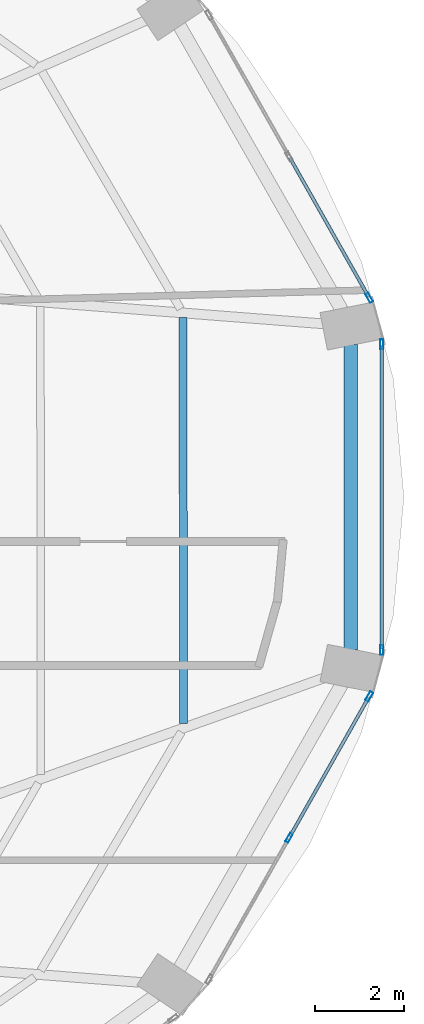
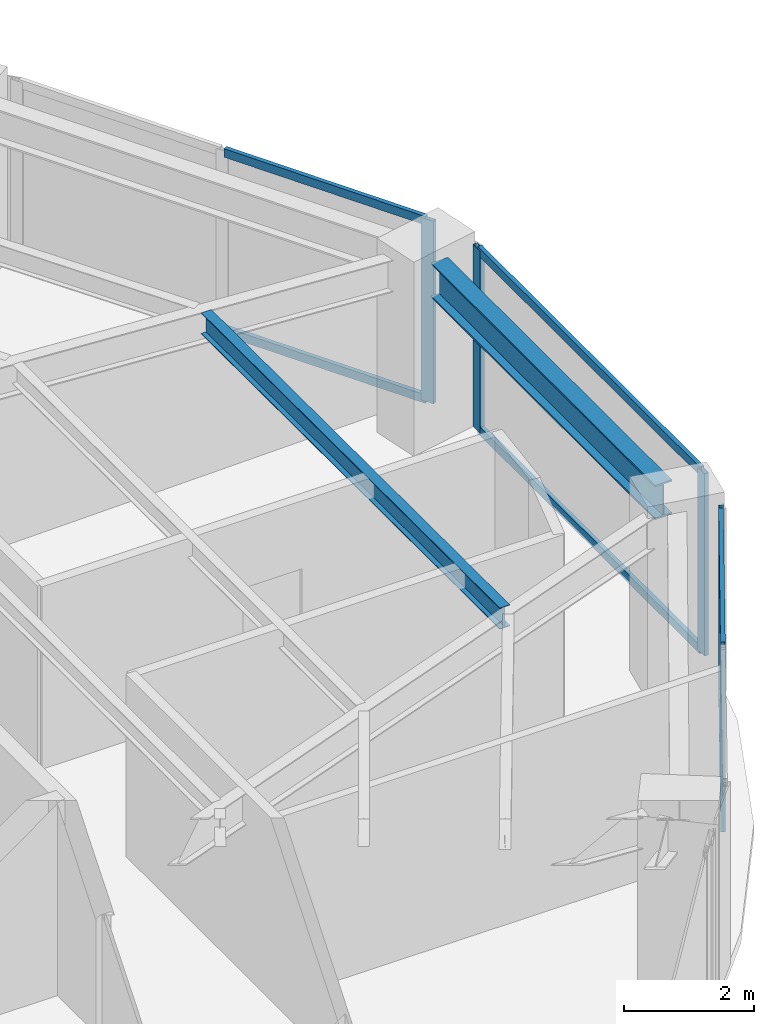
# One storey, part 12 of 24: 11 members, 2 beams, 3 elements without a shape of their own.
"""IFC4 building model written with IfcOpenShell, lengths in metres."""

from ifc_helpers import new_model, si_unit, direction, frame, origin, origin_2d, place, context, subcontext, project, spatial, hollow_rectangle, i_section, extrude, material, layer, layer_set, material_profile, profile_set, type_object, element, aggregate, save


model = new_model("IFC4")

# Units and contexts
model_context = context("Model", 3, precision=1e-05, world=origin(), true_north=direction((0.0, 1.0)))
body_context = subcontext(model_context, "Body", "Model", "MODEL_VIEW")
ifc_project = project(units=[si_unit("LENGTHUNIT", "METRE"), si_unit("AREAUNIT", "SQUARE_METRE"), si_unit("VOLUMEUNIT", "CUBIC_METRE"), si_unit("PLANEANGLEUNIT", "RADIAN"), si_unit("MASSUNIT", "GRAM", prefix="KILO")], contexts=[model_context])

# Site, building, storey
site_placement = place(None, origin())
site = spatial("IfcSite", under=ifc_project, at=site_placement, CompositionType="ELEMENT")
building_placement = place(site_placement, origin())
building = spatial("IfcBuilding", under=site, at=building_placement, Name="Lazwardi Medical Tower", CompositionType="ELEMENT")
storey_placement = place(building_placement, frame((0.0, 0.0, 68.97607421875)))
storey = spatial("IfcBuildingStorey", under=building, at=storey_placement, Name="L17", CompositionType="ELEMENT", Elevation=68.97607421875)

# Beams
ifc_material_1 = material(Name="Steel S355", Category="steel")
ifc_material_profile_1 = material_profile(ifc_material_1, i_section(OverallWidth=0.300048828125, OverallDepth=0.64990234375, WebThickness=0.01611328125, FlangeThickness=0.031005859375, at=origin_2d()), Name="HEB 650")
ifc_profile_set_1 = profile_set([ifc_material_profile_1], Name="Steel S355")
beam_type_1 = type_object("IfcBeamType", Name="BM-RB-Z1", PredefinedType="BEAM", material=ifc_profile_set_1)
beam_1_placement = place(storey_placement, frame((62.800048828125, 26.952392578125, 3.10302734375), z_axis=(0.0, 1.0, 0.0), x_axis=(-1.0, 0.0, 0.0)))
element("IfcBeam", 1, at=beam_1_placement, inside=storey, type_object=beam_type_1, Name="Ring beam RB-02 B04 L17", PredefinedType="BEAM", context=body_context, shape_type="SweptSolid", body=[
    extrude(i_section(OverallWidth=0.300048828125, OverallDepth=0.64990234375, WebThickness=0.01611328125, FlangeThickness=0.031005859375, at=origin_2d()), origin(), (0.0, 0.0, 1.0), 6.895263671875),
])
ifc_material_profile_2 = material_profile(ifc_material_1, i_section(OverallWidth=0.179931640625, OverallDepth=0.39990234375, WebThickness=0.008544921875, FlangeThickness=0.013427734375, at=origin_2d()), Name="IPE 400")
ifc_profile_set_2 = profile_set([ifc_material_profile_2], Name="Steel S355")
beam_type_2 = type_object("IfcBeamType", Name="BM-SJ-01", PredefinedType="JOIST", material=ifc_profile_set_2)
beam_2_placement = place(storey_placement, frame((59.0234375, 25.291015625, 3.22802734375), z_axis=(-0.002077613181, 0.999997841759, 0.0), x_axis=(-0.999997841759, -0.002077613181, 0.0)))
element("IfcBeam", 2, at=beam_2_placement, inside=storey, type_object=beam_type_2, Name="Secondary joist SJ-01 R1 B04 L17", PredefinedType="JOIST", context=body_context, shape_type="SweptSolid", body=[
    extrude(i_section(OverallWidth=0.179931640625, OverallDepth=0.39990234375, WebThickness=0.008544921875, FlangeThickness=0.013427734375, at=origin_2d()), origin(), (0.0, 0.0, 1.0), 9.165771484375),
])

# Curtain wall, members
ifc_material_2 = material(Name="Anodised bronze aluminium and solar control glazing", Category="aluminium")
ifc_layer = layer(ifc_material_2, 0.199951171875)
ifc_layer_set = layer_set([ifc_layer], Name="Anodised bronze aluminium and solar control glazing")
curtain_wall_type = type_object("IfcCurtainWallType", Name="CW-SYS-02", PredefinedType="NOTDEFINED", material=ifc_layer_set)
curtain_wall_1_placement = place(storey_placement, origin())
curtain_wall_1 = element("IfcCurtainWall", 3, at=curtain_wall_1_placement, inside=storey, type_object=curtain_wall_type, Name="L17 Unitised bronze curtain wall CW-02", PredefinedType="NOTDEFINED")
ifc_material_3 = material(Name="Anodised bronze aluminium", Category="aluminium")
ifc_material_profile_3 = material_profile(ifc_material_3, hollow_rectangle(XDim=0.074951171875, YDim=0.219970703125, WallThickness=0.00390625, at=origin_2d()), Name="ALU-MULLION 220x75x4")
ifc_profile_set_3 = profile_set([ifc_material_profile_3], Name="Anodised bronze aluminium")
member_type_1 = type_object("IfcMemberType", Name="CW-MUL-01", PredefinedType="MULLION", material=ifc_profile_set_3)
member_1_placement = place(storey_placement, frame((61.4052734375, 22.70458984375, 0.0), z_axis=(0.0, 0.0, 1.0), x_axis=(-0.870111838823, 0.492854327303, 0.0)))
member_1 = element("IfcMember", 4, at=member_1_placement, type_object=member_type_1, Name="CW-02 mullion 2", PredefinedType="MULLION", context=body_context, shape_type="SweptSolid", body=[
    extrude(hollow_rectangle(XDim=0.074951171875, YDim=0.219970703125, WallThickness=0.00390625, at=origin_2d()), origin(), (0.0, 0.0, 1.0), 3.427978515625),
])
member_2_placement = place(storey_placement, frame((63.214111328125, 25.897705078125, 0.0), z_axis=(0.0, 0.0, 1.0), x_axis=(-0.870111838823, 0.492854327303, 0.0)))
member_2 = element("IfcMember", 5, at=member_2_placement, type_object=member_type_1, Name="CW-02 mullion 3", PredefinedType="MULLION", context=body_context, shape_type="SweptSolid", body=[
    extrude(hollow_rectangle(XDim=0.074951171875, YDim=0.219970703125, WallThickness=0.00390625, at=origin_2d()), origin(), (0.0, 0.0, 1.0), 3.427978515625),
])

curtain_wall_2_placement = place(storey_placement, origin())
curtain_wall_2 = element("IfcCurtainWall", 6, at=curtain_wall_2_placement, inside=storey, type_object=curtain_wall_type, Name="L17 Unitised bronze curtain wall CW-02", PredefinedType="NOTDEFINED")
member_3_placement = place(storey_placement, frame((63.49853515625, 26.946044921875, 0.0), z_axis=(0.0, 0.0, 1.0), x_axis=(-1.0, 0.0, 0.0)))
member_3 = element("IfcMember", 7, at=member_3_placement, type_object=member_type_1, Name="CW-02 mullion 1", PredefinedType="MULLION", context=body_context, shape_type="SweptSolid", body=[
    extrude(hollow_rectangle(XDim=0.074951171875, YDim=0.219970703125, WallThickness=0.00390625, at=origin_2d()), origin(), (0.0, 0.0, 1.0), 3.427978515625),
])
member_4_placement = place(storey_placement, frame((63.49853515625, 33.85400390625, 0.0), z_axis=(0.0, 0.0, 1.0), x_axis=(-1.0, 0.0, 0.0)))
member_4 = element("IfcMember", 8, at=member_4_placement, type_object=member_type_1, Name="CW-02 mullion 2", PredefinedType="MULLION", context=body_context, shape_type="SweptSolid", body=[
    extrude(hollow_rectangle(XDim=0.074951171875, YDim=0.219970703125, WallThickness=0.00390625, at=origin_2d()), origin(), (0.0, 0.0, 1.0), 3.427978515625),
])

# Curtain wall, member
curtain_wall_3_placement = place(storey_placement, origin())
curtain_wall_3 = element("IfcCurtainWall", 9, at=curtain_wall_3_placement, inside=storey, type_object=curtain_wall_type, Name="L17 Unitised bronze curtain wall CW-02", PredefinedType="NOTDEFINED")
member_5_placement = place(storey_placement, frame((63.214111328125, 34.90234375, 0.0), z_axis=(0.0, 0.0, 1.0), x_axis=(-0.870111838823, -0.492854327303, 0.0)))
member_5 = element("IfcMember", 10, at=member_5_placement, type_object=member_type_1, Name="CW-02 mullion 1", PredefinedType="MULLION", context=body_context, shape_type="SweptSolid", body=[
    extrude(hollow_rectangle(XDim=0.074951171875, YDim=0.219970703125, WallThickness=0.00390625, at=origin_2d()), origin(), (0.0, 0.0, 1.0), 3.427978515625),
])

# Member
ifc_material_profile_4 = material_profile(ifc_material_3, hollow_rectangle(XDim=0.074951171875, YDim=0.159912109375, WallThickness=0.00390625, at=origin_2d()), Name="ALU-TRANSOM 160x75x4")
ifc_profile_set_4 = profile_set([ifc_material_profile_4], Name="Anodised bronze aluminium")
member_type_2 = type_object("IfcMemberType", Name="CW-TRN-01", PredefinedType="USERDEFINED", material=ifc_profile_set_4)
member_6_placement = place(storey_placement, frame((61.423828125, 22.737060546875, 0.037353515625), z_axis=(0.49285148925, 0.870113446365, 0.0), x_axis=(-0.870113446365, 0.49285148925, 0.0)))
member_6 = element("IfcMember", 11, at=member_6_placement, type_object=member_type_2, Name="CW-02 transom 2.1", ObjectType="TRANSOM", PredefinedType="USERDEFINED", context=body_context, shape_type="SweptSolid", body=[
    extrude(hollow_rectangle(XDim=0.074951171875, YDim=0.159912109375, WallThickness=0.00390625, at=origin_2d()), origin(), (0.0, 0.0, 1.0), 3.594970703125),
])

member_7_placement = place(storey_placement, frame((61.423828125, 22.737060546875, 3.390380859375), z_axis=(0.49285148925, 0.870113446365, 0.0), x_axis=(-0.870113446365, 0.49285148925, 0.0)))
member_7 = element("IfcMember", 12, at=member_7_placement, type_object=member_type_2, Name="CW-02 transom 2.2", ObjectType="TRANSOM", PredefinedType="USERDEFINED", context=body_context, shape_type="SweptSolid", body=[
    extrude(hollow_rectangle(XDim=0.074951171875, YDim=0.159912109375, WallThickness=0.00390625, at=origin_2d()), origin(), (0.0, 0.0, 1.0), 3.594970703125),
])

aggregate(curtain_wall_1, [member_1, member_2, member_6, member_7])

member_8_placement = place(storey_placement, frame((63.49853515625, 26.9833984375, 0.037353515625), z_axis=(0.0, 1.0, 0.0), x_axis=(-1.0, 0.0, 0.0)))
member_8 = element("IfcMember", 13, at=member_8_placement, type_object=member_type_2, Name="CW-02 transom 1.1", ObjectType="TRANSOM", PredefinedType="USERDEFINED", context=body_context, shape_type="SweptSolid", body=[
    extrude(hollow_rectangle(XDim=0.074951171875, YDim=0.159912109375, WallThickness=0.00390625, at=origin_2d()), origin(), (0.0, 0.0, 1.0), 6.8330078125),
])

member_9_placement = place(storey_placement, frame((63.49853515625, 26.9833984375, 3.390380859375), z_axis=(0.0, 1.0, 0.0), x_axis=(-1.0, 0.0, 0.0)))
member_9 = element("IfcMember", 14, at=member_9_placement, type_object=member_type_2, Name="CW-02 transom 1.2", ObjectType="TRANSOM", PredefinedType="USERDEFINED", context=body_context, shape_type="SweptSolid", body=[
    extrude(hollow_rectangle(XDim=0.074951171875, YDim=0.159912109375, WallThickness=0.00390625, at=origin_2d()), origin(), (0.0, 0.0, 1.0), 6.8330078125),
])

aggregate(curtain_wall_2, [member_3, member_4, member_8, member_9])

member_10_placement = place(storey_placement, frame((63.195556640625, 34.93505859375, 0.037353515625), z_axis=(-0.492880614687, 0.870096948429, 0.0), x_axis=(-0.870096948429, -0.492880614687, 0.0)))
member_10 = element("IfcMember", 15, at=member_10_placement, type_object=member_type_2, Name="CW-02 transom 1.1", ObjectType="TRANSOM", PredefinedType="USERDEFINED", context=body_context, shape_type="SweptSolid", body=[
    extrude(hollow_rectangle(XDim=0.074951171875, YDim=0.159912109375, WallThickness=0.00390625, at=origin_2d()), origin(), (0.0, 0.0, 1.0), 3.5947265625),
])

member_11_placement = place(storey_placement, frame((63.195556640625, 34.93505859375, 3.390380859375), z_axis=(-0.492880614687, 0.870096948429, 0.0), x_axis=(-0.870096948429, -0.492880614687, 0.0)))
member_11 = element("IfcMember", 16, at=member_11_placement, type_object=member_type_2, Name="CW-02 transom 1.2", ObjectType="TRANSOM", PredefinedType="USERDEFINED", context=body_context, shape_type="SweptSolid", body=[
    extrude(hollow_rectangle(XDim=0.074951171875, YDim=0.159912109375, WallThickness=0.00390625, at=origin_2d()), origin(), (0.0, 0.0, 1.0), 3.5947265625),
])

aggregate(curtain_wall_3, [member_5, member_10, member_11])

save(model, "model.ifc")
